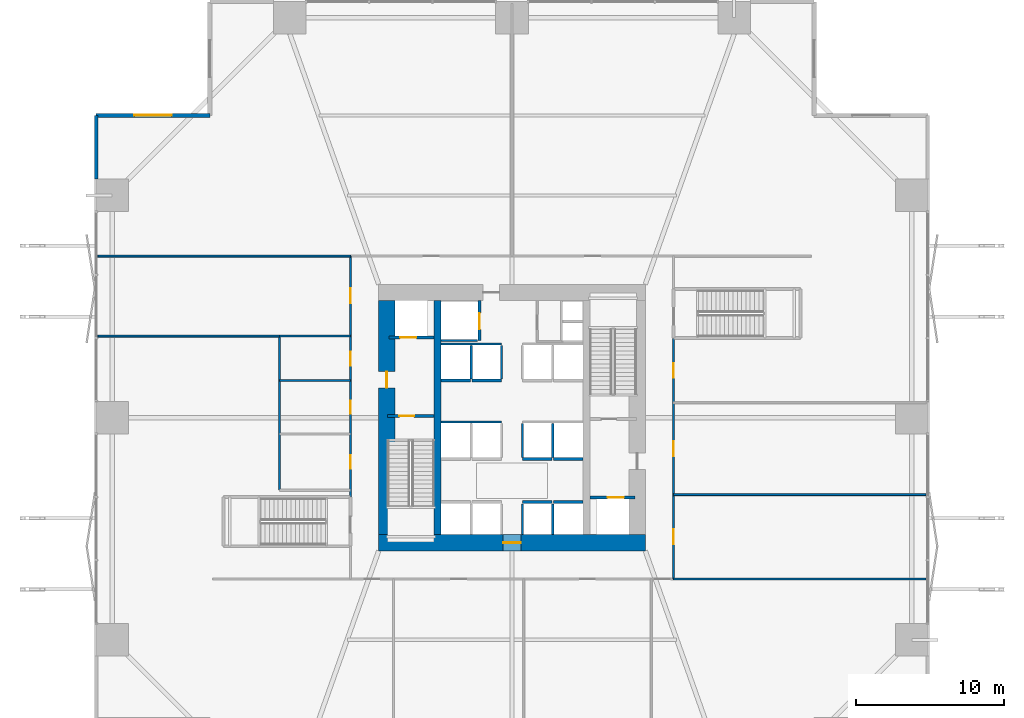
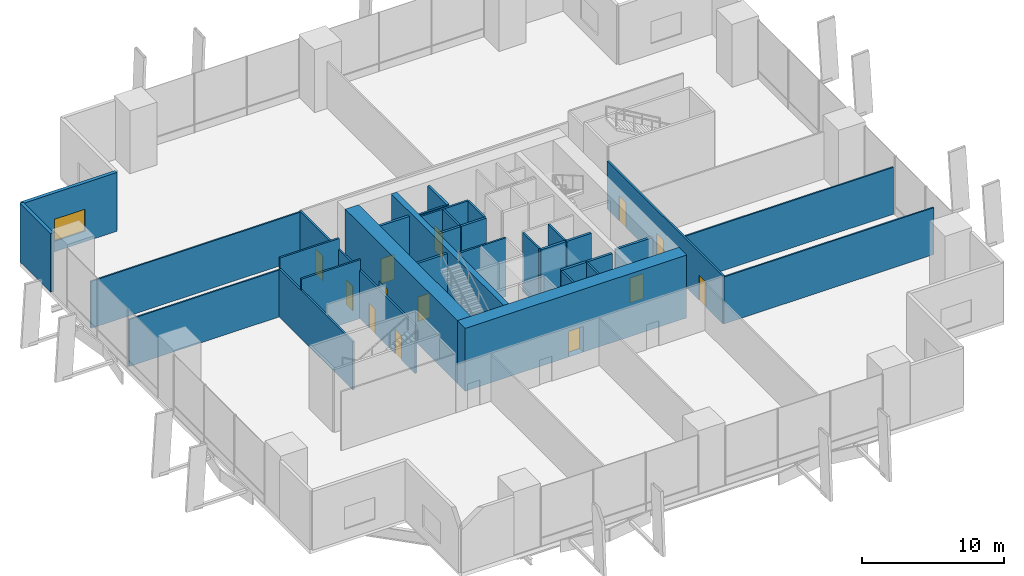
# One storey, part 20 of 24: 33 walls, 13 doors, 1 window, 14 openings.
"""IFC4 building model written with IfcOpenShell, lengths in metres."""

from ifc_helpers import new_model, si_unit, direction, frame, frame_2d, origin, place, context, subcontext, project, spatial, rectangle, extrude, material, layer, layer_set, type_object, element, fill, save


model = new_model("IFC4")

# Units and contexts
model_context = context("Model", 3, precision=1e-05, world=origin(), true_north=direction((0.0, 1.0)))
body_context = subcontext(model_context, "Body", "Model", "MODEL_VIEW")
ifc_project = project(units=[si_unit("LENGTHUNIT", "METRE"), si_unit("AREAUNIT", "SQUARE_METRE"), si_unit("VOLUMEUNIT", "CUBIC_METRE"), si_unit("PLANEANGLEUNIT", "RADIAN"), si_unit("MASSUNIT", "GRAM", prefix="KILO")], contexts=[model_context])

# Site, building, storey
site_placement = place(None, origin())
site = spatial("IfcSite", under=ifc_project, at=site_placement, CompositionType="ELEMENT")
building_placement = place(site_placement, origin())
building = spatial("IfcBuilding", under=site, at=building_placement, Name="Belovzor Exchange Tower", CompositionType="ELEMENT")
storey_placement = place(building_placement, frame((0.0, 0.0, 13.800048828125)))
storey = spatial("IfcBuildingStorey", under=building, at=storey_placement, Name="L03", CompositionType="ELEMENT", Elevation=13.800048828125)

# Walls
ifc_material_1 = material(Name="Acoustic Plasterboard on Galvanised Studs", Category="gypsum")
ifc_layer_1 = layer(ifc_material_1, 0.1201171875)
ifc_layer_set_1 = layer_set([ifc_layer_1], Name="Acoustic Plasterboard on Galvanised Studs")
wall_type_1 = type_object("IfcWallType", Name="Acoustic Double-Stud Partition Wall 120", PredefinedType="PARTITIONING", material=ifc_layer_set_1)
wall_1_placement = place(storey_placement, frame((39.699951171875, 23.60009765625, 0.0), z_axis=(0.0, 0.0, 1.0), x_axis=(1.0, 0.0, 0.0)))
element("IfcWall", 1, at=wall_1_placement, inside=storey, type_object=wall_type_1, Name="W-P120 Partition Wall W-L03-ED1", PredefinedType="PARTITIONING", context=body_context, shape_type="SweptSolid", body=[
    extrude(rectangle(XDim=17.050048828125, YDim=0.1201171875, at=frame_2d((8.52490234375, 0.0))), origin(), (0.0, 0.0, 1.0), 4.034912109375),
])
wall_2_placement = place(storey_placement, frame((0.85009765625, 34.300048828125, 0.0), z_axis=(0.0, 0.0, 1.0), x_axis=(1.0, 0.0, 0.0)))
element("IfcWall", 2, at=wall_2_placement, inside=storey, type_object=wall_type_1, Name="W-P120 Partition Wall W-L03-W1S", PredefinedType="PARTITIONING", context=body_context, shape_type="SweptSolid", body=[
    extrude(rectangle(XDim=12.25, YDim=0.1201171875, at=frame_2d((6.125, 0.0))), origin(), (0.0, 0.0, 1.0), 4.034912109375),
])
wall_3_placement = place(storey_placement, frame((39.699951171875, 17.89990234375, 0.0), z_axis=(0.0, 0.0, 1.0), x_axis=(1.0, 0.0, 0.0)))
element("IfcWall", 3, at=wall_3_placement, inside=storey, type_object=wall_type_1, Name="W-P120 Partition Wall W-L03-OUT-SE", PredefinedType="PARTITIONING", context=body_context, shape_type="SweptSolid", body=[
    extrude(rectangle(XDim=17.050048828125, YDim=0.1201171875, at=frame_2d((8.52490234375, 0.0))), origin(), (0.0, 0.0, 1.0), 4.034912109375),
])
wall_4_placement = place(storey_placement, frame((0.85009765625, 39.699951171875, 0.0), z_axis=(0.0, 0.0, 1.0), x_axis=(1.0, 0.0, 0.0)))
element("IfcWall", 4, at=wall_4_placement, inside=storey, type_object=wall_type_1, Name="W-P120 Partition Wall W-L03-OUT-NW", PredefinedType="PARTITIONING", context=body_context, shape_type="SweptSolid", body=[
    extrude(rectangle(XDim=17.0498046875, YDim=0.1201171875, at=frame_2d((8.52490234375, 0.0))), origin(), (0.0, 0.0, 1.0), 4.034912109375),
])
ifc_material_2 = material(Name="Fire-Rated Gypsum Block and Mineral Wool", Category="gypsum")
ifc_layer_2 = layer(ifc_material_2, 0.14990234375)
ifc_layer_set_2 = layer_set([ifc_layer_2], Name="Fire-Rated Gypsum Block and Mineral Wool")
wall_type_2 = type_object("IfcWallType", Name="Fire-Rated Gypsum Block Corridor Wall 150", PredefinedType="PARTITIONING", material=ifc_layer_set_2)
wall_5_placement = place(storey_placement, frame((13.10009765625, 23.89990234375, 0.0), z_axis=(0.0, 0.0, 1.0), x_axis=(0.0, 1.0, 0.0)))
element("IfcWall", 5, at=wall_5_placement, inside=storey, type_object=wall_type_2, Name="W-P150 Partition Wall W-L03-WC-W", PredefinedType="PARTITIONING", context=body_context, shape_type="SweptSolid", body=[
    extrude(rectangle(XDim=10.400146484375, YDim=0.14990234375, at=frame_2d((5.2001953125, 0.0))), origin(), (0.0, 0.0, 1.0), 4.135009765625),
])
for number, where, z_axis, x_axis, name in (
    (6, (13.10009765625, 34.300048828125, 0.0), (0.0, 0.0, 1.0), (1.0, 0.0, 0.0), "W-P150 Partition Wall W-L03-WC-N"),
    (7, (13.10009765625, 31.300048828125, 0.0), (0.0, 0.0, 1.0), (1.0, 0.0, 0.0), "W-P150 Partition Wall W-L03-WC-D2"),
):
    element("IfcWall", number, at=place(storey_placement, frame(where, z_axis=z_axis, x_axis=x_axis)), inside=storey, type_object=wall_type_2, Name=name, PredefinedType="PARTITIONING", context=body_context, shape_type="SweptSolid", body=[
        extrude(rectangle(XDim=4.7998046875, YDim=0.14990234375, at=frame_2d((2.39990234375, 0.0))), origin(), (0.0, 0.0, 1.0), 5.050048828125),
    ])

# Wall, openings, doors
wall_6_placement = place(storey_placement, frame((17.89990234375, 23.449951171875, 0.0), z_axis=(0.0, 0.0, 1.0), x_axis=(0.0, 1.0, 0.0)))
wall_6 = element("IfcWall", 8, at=wall_6_placement, inside=storey, type_object=wall_type_2, Name="W-P150 Partition Wall W-L03-CWN", PredefinedType="PARTITIONING", context=body_context, shape_type="SweptSolid", body=[
    extrude(rectangle(XDim=16.25, YDim=0.14990234375, at=frame_2d((8.125, 0.0))), origin(), (0.0, 0.0, 1.0), 4.135009765625),
])
opening_1_placement = place(wall_6_placement, frame((1.89990234375, 0.0, 0.0)))
opening_1 = element("IfcOpeningElement", 9, at=opening_1_placement, cuts=wall_6, Name="Opening D-FD60-090", PredefinedType="OPENING", context=body_context, shape_type="SweptSolid", body=[
    extrude(rectangle(XDim=0.89990234375, YDim=2.10009765625, at=frame_2d((0.449951171875, 1.050048828125))), frame((0.0, 0.0849609375, 0.0), z_axis=(0.0, -1.0, 0.0), x_axis=(1.0, 0.0, 0.0)), (0.0, 0.0, 1.0), 0.169921875),
])
opening_2_placement = place(wall_6_placement, frame((5.60009765625, 0.0, 0.0)))
opening_2 = element("IfcOpeningElement", 10, at=opening_2_placement, cuts=wall_6, Name="Opening D-FD60-090", PredefinedType="OPENING", context=body_context, shape_type="SweptSolid", body=[
    extrude(rectangle(XDim=0.89990234375, YDim=2.10009765625, at=frame_2d((0.449951171875, 1.050048828125))), frame((0.0, 0.0849609375, 0.0), z_axis=(0.0, -1.0, 0.0), x_axis=(1.0, 0.0, 0.0)), (0.0, 0.0, 1.0), 0.169921875),
])
opening_3_placement = place(wall_6_placement, frame((8.85009765625, 0.0, 0.0)))
opening_3 = element("IfcOpeningElement", 11, at=opening_3_placement, cuts=wall_6, Name="Opening D-FD60-095", PredefinedType="OPENING", context=body_context, shape_type="SweptSolid", body=[
    extrude(rectangle(XDim=0.949951171875, YDim=2.10009765625, at=frame_2d((0.47509765625, 1.050048828125))), frame((0.0, 0.0849609375, 0.0), z_axis=(0.0, -1.0, 0.0), x_axis=(1.0, 0.0, 0.0)), (0.0, 0.0, 1.0), 0.169921875),
])
opening_4_placement = place(wall_6_placement, frame((13.074951171875, 0.0, 0.0)))
opening_4 = element("IfcOpeningElement", 12, at=opening_4_placement, cuts=wall_6, Name="Opening D-FD60-105", PredefinedType="OPENING", context=body_context, shape_type="SweptSolid", body=[
    extrude(rectangle(XDim=1.0, YDim=2.14990234375, at=frame_2d((0.5, 1.074951171875))), frame((0.0, 0.0849609375, 0.0), z_axis=(0.0, -1.0, 0.0), x_axis=(1.0, 0.0, 0.0)), (0.0, 0.0, 1.0), 0.169921875),
])
ifc_material_3 = material(Name="Moisture-Resistant Timber Fire Leaf", Category="wood")
door_type_1 = type_object("IfcDoorType", Name="Accessible Restroom Wide Fire Door 950x2100", OperationType="NOTDEFINED", PredefinedType="DOOR", material=ifc_material_3)
door_1_placement = place(opening_3_placement, origin())
door_1 = element("IfcDoor", 13, at=door_1_placement, inside=storey, type_object=door_type_1, Name="D-FD60-095 Accessible Restroom Wide Fire Door 950x2100", OperationType="SINGLE_SWING_LEFT", OverallHeight=2.10009765625, OverallWidth=0.949951171875, PredefinedType="DOOR", context=body_context, shape_type="SweptSolid", body=[
    extrude(rectangle(XDim=0.949951171875, YDim=2.10009765625, at=frame_2d((0.47509765625, 1.050048828125))), frame((0.0, 0.02490234375, 0.0), z_axis=(0.0, -1.0, 0.0), x_axis=(1.0, 0.0, 0.0)), (0.0, 0.0, 1.0), 0.050048828125),
])
fill(opening_3, door_1)
ifc_material_4 = material(Name="Acoustic Timber Fire Leaf", Category="wood")
door_type_2 = type_object("IfcDoorType", Name="Core Service & Restroom Fire Door 900x2100", OperationType="NOTDEFINED", PredefinedType="DOOR", material=ifc_material_4)
door_2_placement = place(opening_1_placement, origin())
door_2 = element("IfcDoor", 14, at=door_2_placement, inside=storey, type_object=door_type_2, Name="D-FD60-090 Core Service & Restroom Fire Door 900x2100", OperationType="SINGLE_SWING_LEFT", OverallHeight=2.10009765625, OverallWidth=0.89990234375, PredefinedType="DOOR", context=body_context, shape_type="SweptSolid", body=[
    extrude(rectangle(XDim=0.89990234375, YDim=2.10009765625, at=frame_2d((0.449951171875, 1.050048828125))), frame((0.0, 0.02490234375, 0.0), z_axis=(0.0, -1.0, 0.0), x_axis=(1.0, 0.0, 0.0)), (0.0, 0.0, 1.0), 0.050048828125),
])
fill(opening_1, door_2)
door_3_placement = place(opening_2_placement, origin())
door_3 = element("IfcDoor", 15, at=door_3_placement, inside=storey, type_object=door_type_2, Name="D-FD60-090 Core Service & Restroom Fire Door 900x2100", OperationType="SINGLE_SWING_RIGHT", OverallHeight=2.10009765625, OverallWidth=0.89990234375, PredefinedType="DOOR", context=body_context, shape_type="SweptSolid", body=[
    extrude(rectangle(XDim=0.89990234375, YDim=2.10009765625, at=frame_2d((0.449951171875, 1.050048828125))), frame((0.0, 0.02490234375, 0.0), z_axis=(0.0, -1.0, 0.0), x_axis=(1.0, 0.0, 0.0)), (0.0, 0.0, 1.0), 0.050048828125),
])
fill(opening_2, door_3)
ifc_material_5 = material(Name="Acoustic Timber Fire Leaf", Category="wood")
door_type_3 = type_object("IfcDoorType", Name="Podium Gallery Acoustic Fire Door 1000x2150", OperationType="NOTDEFINED", PredefinedType="DOOR", material=ifc_material_5)
door_4_placement = place(opening_4_placement, origin())
door_4 = element("IfcDoor", 16, at=door_4_placement, inside=storey, type_object=door_type_3, Name="D-FD60-105 Podium Gallery Acoustic Fire Door 1000x2150", OperationType="SINGLE_SWING_RIGHT", OverallHeight=2.14990234375, OverallWidth=1.0, PredefinedType="DOOR", context=body_context, shape_type="SweptSolid", body=[
    extrude(rectangle(XDim=1.0, YDim=2.14990234375, at=frame_2d((0.5, 1.074951171875))), frame((0.0, 0.02490234375, 0.0), z_axis=(0.0, -1.0, 0.0), x_axis=(1.0, 0.0, 0.0)), (0.0, 0.0, 1.0), 0.050048828125),
])
fill(opening_4, door_4)

wall_7_placement = place(storey_placement, frame((39.699951171875, 17.89990234375, 0.0), z_axis=(0.0, 0.0, 1.0), x_axis=(0.0, 1.0, 0.0)))
wall_7 = element("IfcWall", 17, at=wall_7_placement, inside=storey, type_object=wall_type_2, Name="W-P150 Partition Wall W-L03-CES", PredefinedType="PARTITIONING", context=body_context, shape_type="SweptSolid", body=[
    extrude(rectangle(XDim=16.25, YDim=0.14990234375, at=frame_2d((8.125, 0.0))), origin(), (0.0, 0.0, 1.0), 4.135009765625),
])
opening_5_placement = place(wall_7_placement, frame((2.35009765625, 0.0, 0.0)))
opening_5 = element("IfcOpeningElement", 18, at=opening_5_placement, cuts=wall_7, Name="Opening D-FD60-105", PredefinedType="OPENING", context=body_context, shape_type="SweptSolid", body=[
    extrude(rectangle(XDim=1.0, YDim=2.14990234375, at=frame_2d((0.5, 1.074951171875))), frame((0.0, 0.0849609375, 0.0), z_axis=(0.0, -1.0, 0.0), x_axis=(1.0, 0.0, 0.0)), (0.0, 0.0, 1.0), 0.169921875),
])
opening_6_placement = place(wall_7_placement, frame((8.300048828125, 0.0, 0.0)))
opening_6 = element("IfcOpeningElement", 19, at=opening_6_placement, cuts=wall_7, Name="Opening D-FD60-105", PredefinedType="OPENING", context=body_context, shape_type="SweptSolid", body=[
    extrude(rectangle(XDim=1.0, YDim=2.14990234375, at=frame_2d((0.5, 1.074951171875))), frame((0.0, 0.0849609375, 0.0), z_axis=(0.0, -1.0, 0.0), x_axis=(1.0, 0.0, 0.0)), (0.0, 0.0, 1.0), 0.169921875),
])
opening_7_placement = place(wall_7_placement, frame((13.574951171875, 0.0, 0.0)))
opening_7 = element("IfcOpeningElement", 20, at=opening_7_placement, cuts=wall_7, Name="Opening D-FD60-105", PredefinedType="OPENING", context=body_context, shape_type="SweptSolid", body=[
    extrude(rectangle(XDim=1.0, YDim=2.14990234375, at=frame_2d((0.5, 1.074951171875))), frame((0.0, 0.0849609375, 0.0), z_axis=(0.0, -1.0, 0.0), x_axis=(1.0, 0.0, 0.0)), (0.0, 0.0, 1.0), 0.169921875),
])
door_5_placement = place(opening_5_placement, origin())
door_5 = element("IfcDoor", 21, at=door_5_placement, inside=storey, type_object=door_type_3, Name="D-FD60-105 Podium Gallery Acoustic Fire Door 1000x2150", OperationType="SINGLE_SWING_LEFT", OverallHeight=2.14990234375, OverallWidth=1.0, PredefinedType="DOOR", context=body_context, shape_type="SweptSolid", body=[
    extrude(rectangle(XDim=1.0, YDim=2.14990234375, at=frame_2d((0.5, 1.074951171875))), frame((0.0, 0.02490234375, 0.0), z_axis=(0.0, -1.0, 0.0), x_axis=(1.0, 0.0, 0.0)), (0.0, 0.0, 1.0), 0.050048828125),
])
fill(opening_5, door_5)
door_6_placement = place(opening_6_placement, origin())
door_6 = element("IfcDoor", 22, at=door_6_placement, inside=storey, type_object=door_type_3, Name="D-FD60-105 Podium Gallery Acoustic Fire Door 1000x2150", OperationType="SINGLE_SWING_LEFT", OverallHeight=2.14990234375, OverallWidth=1.0, PredefinedType="DOOR", context=body_context, shape_type="SweptSolid", body=[
    extrude(rectangle(XDim=1.0, YDim=2.14990234375, at=frame_2d((0.5, 1.074951171875))), frame((0.0, 0.02490234375, 0.0), z_axis=(0.0, -1.0, 0.0), x_axis=(1.0, 0.0, 0.0)), (0.0, 0.0, 1.0), 0.050048828125),
])
fill(opening_6, door_6)
door_7_placement = place(opening_7_placement, origin())
door_7 = element("IfcDoor", 23, at=door_7_placement, inside=storey, type_object=door_type_3, Name="D-FD60-105 Podium Gallery Acoustic Fire Door 1000x2150", OperationType="SINGLE_SWING_LEFT", OverallHeight=2.14990234375, OverallWidth=1.0, PredefinedType="DOOR", context=body_context, shape_type="SweptSolid", body=[
    extrude(rectangle(XDim=1.0, YDim=2.14990234375, at=frame_2d((0.5, 1.074951171875))), frame((0.0, 0.02490234375, 0.0), z_axis=(0.0, -1.0, 0.0), x_axis=(1.0, 0.0, 0.0)), (0.0, 0.0, 1.0), 0.050048828125),
])
fill(opening_7, door_7)

# Wall, opening, window
ifc_material_6 = material(Name="Precast concrete C40/50", Category="concrete")
ifc_layer_3 = layer(ifc_material_6, 0.280029296875)
ifc_layer_set_3 = layer_set([ifc_layer_3], Name="Precast concrete C40/50")
wall_type_3 = type_object("IfcWallType", Name="Precast Concrete Notched Corner Frame Wall 280", PredefinedType="SOLIDWALL", material=ifc_layer_set_3)
wall_8_placement = place(storey_placement, frame((0.72998046875, 49.199951171875, 0.0), z_axis=(0.0, 0.0, 1.0), x_axis=(1.0, 0.0, 0.0)))
wall_8 = element("IfcWall", 24, at=wall_8_placement, inside=storey, type_object=wall_type_3, Name="W-CRN280 Precast Concrete Notched Corner Frame Wall 280 L03", PredefinedType="SOLIDWALL", context=body_context, shape_type="SweptSolid", body=[
    extrude(rectangle(XDim=7.669921875, YDim=0.280029296875, at=frame_2d((3.8349609375, 0.0))), origin(), (0.0, 0.0, 1.0), 5.050048828125),
])
opening_8_placement = place(wall_8_placement, frame((2.5849609375, 0.0, 0.89990234375)))
opening_8 = element("IfcOpeningElement", 25, at=opening_8_placement, cuts=wall_8, Name="Opening WN-CRN250", PredefinedType="OPENING", context=body_context, shape_type="SweptSolid", body=[
    extrude(rectangle(XDim=2.5, YDim=1.89990234375, at=frame_2d((1.25, 0.949951171875))), frame((0.0, 0.14990234375, 0.0), z_axis=(0.0, -1.0, 0.0), x_axis=(1.0, 0.0, 0.0)), (0.0, 0.0, 1.0), 0.300048828125),
])
ifc_material_7 = material(Name="Thermally Broken Aluminium and Triple Glazing", Category="aluminium")
window_type = type_object("IfcWindowType", Name="Streamline Moderne Corner Wrap Ribbon Window 2500x1900", PartitioningType="SINGLE_PANEL", PredefinedType="WINDOW", material=ifc_material_7)
window_placement = place(opening_8_placement, origin())
window = element("IfcWindow", 26, at=window_placement, inside=storey, type_object=window_type, Name="WN-CRN250 Streamline Moderne Corner Wrap Ribbon Window 2500x1900", OverallHeight=1.89990234375, OverallWidth=2.5, PartitioningType="SINGLE_PANEL", PredefinedType="WINDOW", context=body_context, shape_type="SweptSolid", body=[
    extrude(rectangle(XDim=2.5, YDim=1.89990234375, at=frame_2d((1.25, 0.949951171875))), frame((0.0, 0.030029296875, 0.0), z_axis=(0.0, -1.0, 0.0), x_axis=(1.0, 0.0, 0.0)), (0.0, 0.0, 1.0), 0.06005859375),
])
fill(opening_8, window)

# Walls
ifc_material_8 = material(Name="Precast concrete C40/50", Category="concrete")
ifc_layer_4 = layer(ifc_material_8, 0.260009765625)
ifc_layer_set_4 = layer_set([ifc_layer_4], Name="Precast concrete C40/50")
wall_type_4 = type_object("IfcWallType", Name="Precast Concrete Perimeter Loggia Frame Wall 260", PredefinedType="SOLIDWALL", material=ifc_layer_set_4)
wall_9_placement = place(storey_placement, frame((0.72998046875, 44.89990234375, 0.0), z_axis=(0.0, 0.0, 1.0), x_axis=(0.0, 1.0, 0.0)))
element("IfcWall", 27, at=wall_9_placement, inside=storey, type_object=wall_type_4, Name="W-EXT260 Precast Concrete Perimeter Loggia Frame Wall 260 L03", PredefinedType="SOLIDWALL", context=body_context, shape_type="SweptSolid", body=[
    extrude(rectangle(XDim=4.300048828125, YDim=0.260009765625, at=frame_2d((2.14990234375, 0.0))), origin(), (0.0, 0.0, 1.0), 5.050048828125),
])
ifc_material_9 = material(Name="Concrete C50/60", Category="concrete")
ifc_layer_5 = layer(ifc_material_9, 0.449951171875)
ifc_layer_set_5 = layer_set([ifc_layer_5], Name="Concrete C50/60")
wall_type_5 = type_object("IfcWallType", Name="Reinforced Concrete Core Internal Web Wall 450", PredefinedType="SHEAR", material=ifc_layer_set_5)
wall_10_placement = place(storey_placement, frame((23.77490234375, 20.89990234375, 0.0), z_axis=(0.0, 0.0, 1.0), x_axis=(0.0, 1.0, 0.0)))
element("IfcWall", 28, at=wall_10_placement, inside=storey, type_object=wall_type_5, Name="CW-W045 Core Internal Web Wall L03 WL", PredefinedType="SHEAR", context=body_context, shape_type="SweptSolid", body=[
    extrude(rectangle(XDim=15.800048828125, YDim=0.449951171875, at=frame_2d((7.89990234375, 0.0))), origin(), (0.0, 0.0, 1.0), 5.39990234375),
])
ifc_material_10 = material(Name="Concrete C50/60", Category="concrete")
ifc_layer_6 = layer(ifc_material_10, 0.14990234375)
ifc_layer_set_6 = layer_set([ifc_layer_6], Name="Concrete C50/60")
wall_type_6 = type_object("IfcWallType", Name="Reinforced Concrete Core Riser Shear Wall 150", PredefinedType="SHEAR", material=ifc_layer_set_6)
wall_11_placement = place(storey_placement, frame((24.0, 34.0, 0.0), z_axis=(0.0, 0.0, 1.0), x_axis=(1.0, 0.0, 0.0)))
element("IfcWall", 29, at=wall_11_placement, inside=storey, type_object=wall_type_6, Name="W-C150S Core Shaft Wall W-SH-L03-SL-01S", PredefinedType="SHEAR", context=body_context, shape_type="SweptSolid", body=[
    extrude(rectangle(XDim=2.47998046875, YDim=0.14990234375, at=frame_2d((1.239990234375, 0.0))), origin(), (0.0, 0.0, 1.0), 5.050048828125),
])
for number, where, z_axis, x_axis, name in (
    (30, (29.5, 20.919921875, 0.0), (0.0, 0.0, 1.0), (0.0, 1.0, 0.0), "W-C150S Core Shaft Wall W-SHD-L03-PLL-3"),
    (31, (31.550048828125, 20.919921875, 0.0), (0.0, 0.0, 1.0), (0.0, 1.0, 0.0), "W-C150S Core Shaft Wall W-SHD-L03-PLL-4"),
):
    element("IfcWall", number, at=place(storey_placement, frame(where, z_axis=z_axis, x_axis=x_axis)), inside=storey, type_object=wall_type_6, Name=name, PredefinedType="SHEAR", context=body_context, shape_type="SweptSolid", body=[
        extrude(rectangle(XDim=2.06005859375, YDim=0.14990234375, at=frame_2d((1.030029296875, 0.0))), origin(), (0.0, 0.0, 1.0), 5.050048828125),
    ])
wall_12_placement = place(storey_placement, frame((24.02001953125, 28.5, 0.0), z_axis=(0.0, 0.0, 1.0), x_axis=(1.0, 0.0, 0.0)))
element("IfcWall", 32, at=wall_12_placement, inside=storey, type_object=wall_type_6, Name="W-C150S Core Shaft Wall W-SHB-L03-PLM-NW", PredefinedType="SHEAR", context=body_context, shape_type="SweptSolid", body=[
    extrude(rectangle(XDim=4.080078125, YDim=0.14990234375, at=frame_2d((2.0400390625, 0.0))), origin(), (0.0, 0.0, 1.0), 5.050048828125),
])
for number, where, z_axis, x_axis, name in (
    (33, (29.5, 26.1201171875, 0.0), (0.0, 0.0, 1.0), (0.0, 1.0, 0.0), "W-C150S Core Shaft Wall W-SHD-L03-PLM-3"),
    (34, (31.550048828125, 26.1201171875, 0.0), (0.0, 0.0, 1.0), (0.0, 1.0, 0.0), "W-C150S Core Shaft Wall W-SHD-L03-PLM-4"),
):
    element("IfcWall", number, at=place(storey_placement, frame(where, z_axis=z_axis, x_axis=x_axis)), inside=storey, type_object=wall_type_6, Name=name, PredefinedType="SHEAR", context=body_context, shape_type="SweptSolid", body=[
        extrude(rectangle(XDim=2.27978515625, YDim=0.14990234375, at=frame_2d((1.139892578125, 0.0))), origin(), (0.0, 0.0, 1.0), 5.050048828125),
    ])
wall_13_placement = place(storey_placement, frame((24.02001953125, 33.760009765625, 0.0), z_axis=(0.0, 0.0, 1.0), x_axis=(1.0, 0.0, 0.0)))
element("IfcWall", 35, at=wall_13_placement, inside=storey, type_object=wall_type_6, Name="W-C150S Core Shaft Wall W-SHB-L03-PLH-NW", PredefinedType="SHEAR", context=body_context, shape_type="SweptSolid", body=[
    extrude(rectangle(XDim=4.080078125, YDim=0.14990234375, at=frame_2d((2.0400390625, 0.0))), origin(), (0.0, 0.0, 1.0), 5.050048828125),
])
for number, where, z_axis, x_axis, name in (
    (36, (26.050048828125, 31.419921875, 0.0), (0.0, 0.0, 1.0), (0.0, 1.0, 0.0), "W-C150S Core Shaft Wall W-SHD-L03-PLH-1"),
    (37, (28.10009765625, 31.419921875, 0.0), (0.0, 0.0, 1.0), (0.0, 1.0, 0.0), "W-C150S Core Shaft Wall W-SHD-L03-PLH-2"),
):
    element("IfcWall", number, at=place(storey_placement, frame(where, z_axis=z_axis, x_axis=x_axis)), inside=storey, type_object=wall_type_6, Name=name, PredefinedType="SHEAR", context=body_context, shape_type="SweptSolid", body=[
        extrude(rectangle(XDim=2.239990234375, YDim=0.14990234375, at=frame_2d((1.1201171875, 0.0))), origin(), (0.0, 0.0, 1.0), 5.050048828125),
    ])

# Wall, opening, door
ifc_material_11 = material(Name="Concrete C50/60", Category="concrete")
ifc_layer_7 = layer(ifc_material_11, 0.199951171875)
ifc_layer_set_7 = layer_set([ifc_layer_7], Name="Concrete C50/60")
wall_type_7 = type_object("IfcWallType", Name="Reinforced Concrete Core Shaft Shear Wall 200", PredefinedType="SHEAR", material=ifc_layer_set_7)
wall_14_placement = place(storey_placement, frame((20.39990234375, 28.89990234375, 0.0), z_axis=(0.0, 0.0, 1.0), x_axis=(1.0, 0.0, 0.0)))
wall_14 = element("IfcWall", 38, at=wall_14_placement, inside=storey, type_object=wall_type_7, Name="W-C200S Core Shaft Wall W-CORE-L03-FFLW1", PredefinedType="SHEAR", context=body_context, shape_type="SweptSolid", body=[
    extrude(rectangle(XDim=3.150146484375, YDim=0.199951171875, at=frame_2d((1.5751953125, 0.0))), origin(), (0.0, 0.0, 1.0), 5.050048828125),
])
opening_9_placement = place(wall_14_placement, frame((0.800048828125, 0.0, 0.0)))
opening_9 = element("IfcOpeningElement", 39, at=opening_9_placement, cuts=wall_14, Name="Opening D-FD90-100", PredefinedType="OPENING", context=body_context, shape_type="SweptSolid", body=[
    extrude(rectangle(XDim=1.0, YDim=2.10009765625, at=frame_2d((0.5, 1.050048828125))), frame((0.0, 0.10986328125, 0.0), z_axis=(0.0, -1.0, 0.0), x_axis=(1.0, 0.0, 0.0)), (0.0, 0.0, 1.0), 0.219970703125),
])
ifc_material_12 = material(Name="Fire-Rated Galvanised Steel Leaf", Category="steel")
door_type_4 = type_object("IfcDoorType", Name="Protected Stairwell Single Fire Door 1000x2100", OperationType="NOTDEFINED", PredefinedType="DOOR", material=ifc_material_12)
door_8_placement = place(opening_9_placement, origin())
door_8 = element("IfcDoor", 40, at=door_8_placement, inside=storey, type_object=door_type_4, Name="D-FD90-100 Protected Stairwell Single Fire Door 1000x2100", OperationType="SINGLE_SWING_RIGHT", OverallHeight=2.10009765625, OverallWidth=1.0, PredefinedType="DOOR", context=body_context, shape_type="SweptSolid", body=[
    extrude(rectangle(XDim=1.0, YDim=2.10009765625, at=frame_2d((0.5, 1.050048828125))), frame((0.0, 0.02490234375, 0.0), z_axis=(0.0, -1.0, 0.0), x_axis=(1.0, 0.0, 0.0)), (0.0, 0.0, 1.0), 0.050048828125),
])
fill(opening_9, door_8)

wall_15_placement = place(storey_placement, frame((20.5, 34.199951171875, 0.0), z_axis=(0.0, 0.0, 1.0), x_axis=(1.0, 0.0, 0.0)))
wall_15 = element("IfcWall", 41, at=wall_15_placement, inside=storey, type_object=wall_type_7, Name="W-C200S Core Shaft Wall W-SH-L03-FFL-01", PredefinedType="SHEAR", context=body_context, shape_type="SweptSolid", body=[
    extrude(rectangle(XDim=3.050048828125, YDim=0.199951171875, at=frame_2d((1.52490234375, 0.0))), origin(), (0.0, 0.0, 1.0), 5.050048828125),
])
opening_10_placement = place(wall_15_placement, frame((0.75, 0.0, 0.0)))
opening_10 = element("IfcOpeningElement", 42, at=opening_10_placement, cuts=wall_15, Name="Opening LD-110", PredefinedType="OPENING", context=body_context, shape_type="SweptSolid", body=[
    extrude(rectangle(XDim=1.10009765625, YDim=2.14990234375, at=frame_2d((0.550048828125, 1.074951171875))), frame((0.0, 0.10986328125, 0.0), z_axis=(0.0, -1.0, 0.0), x_axis=(1.0, 0.0, 0.0)), (0.0, 0.0, 1.0), 0.219970703125),
])
ifc_material_13 = material(Name="Stainless Steel Grade 304", Category="steel")
door_type_5 = type_object("IfcDoorType", Name="Automated Stainless Steel Lift Landing Door 1100x2150", OperationType="SLIDING_TO_RIGHT", PredefinedType="DOOR", material=ifc_material_13)
door_9_placement = place(opening_10_placement, origin())
door_9 = element("IfcDoor", 43, at=door_9_placement, inside=storey, type_object=door_type_5, Name="LD-110 Automated Stainless Steel Lift Landing Door 1100x2150", OperationType="SLIDING_TO_RIGHT", OverallHeight=2.14990234375, OverallWidth=1.10009765625, PredefinedType="DOOR", context=body_context, shape_type="SweptSolid", body=[
    extrude(rectangle(XDim=1.10009765625, YDim=2.14990234375, at=frame_2d((0.550048828125, 1.074951171875))), frame((0.0, 0.02490234375, 0.0), z_axis=(0.0, -1.0, 0.0), x_axis=(1.0, 0.0, 0.0)), (0.0, 0.0, 1.0), 0.050048828125),
])
fill(opening_10, door_9)

wall_16_placement = place(storey_placement, frame((34.050048828125, 23.39990234375, 0.0), z_axis=(0.0, 0.0, 1.0), x_axis=(1.0, 0.0, 0.0)))
wall_16 = element("IfcWall", 44, at=wall_16_placement, inside=storey, type_object=wall_type_7, Name="W-C200S Core Shaft Wall W-SH-L03-FFL-02", PredefinedType="SHEAR", context=body_context, shape_type="SweptSolid", body=[
    extrude(rectangle(XDim=3.050048828125, YDim=0.199951171875, at=frame_2d((1.52490234375, 0.0))), origin(), (0.0, 0.0, 1.0), 5.050048828125),
])
opening_11_placement = place(wall_16_placement, frame((1.199951171875, 0.0, 0.0)))
opening_11 = element("IfcOpeningElement", 45, at=opening_11_placement, cuts=wall_16, Name="Opening LD-110", PredefinedType="OPENING", context=body_context, shape_type="SweptSolid", body=[
    extrude(rectangle(XDim=1.10009765625, YDim=2.14990234375, at=frame_2d((0.550048828125, 1.074951171875))), frame((0.0, 0.10986328125, 0.0), z_axis=(0.0, -1.0, 0.0), x_axis=(1.0, 0.0, 0.0)), (0.0, 0.0, 1.0), 0.219970703125),
])
door_10_placement = place(opening_11_placement, origin())
door_10 = element("IfcDoor", 46, at=door_10_placement, inside=storey, type_object=door_type_5, Name="LD-110 Automated Stainless Steel Lift Landing Door 1100x2150", OperationType="SLIDING_TO_RIGHT", OverallHeight=2.14990234375, OverallWidth=1.10009765625, PredefinedType="DOOR", context=body_context, shape_type="SweptSolid", body=[
    extrude(rectangle(XDim=1.10009765625, YDim=2.14990234375, at=frame_2d((0.550048828125, 1.074951171875))), frame((0.0, 0.02490234375, 0.0), z_axis=(0.0, -1.0, 0.0), x_axis=(1.0, 0.0, 0.0)), (0.0, 0.0, 1.0), 0.050048828125),
])
fill(opening_11, door_10)

wall_17_placement = place(storey_placement, frame((26.60009765625, 34.0, 0.0), z_axis=(0.0, 0.0, 1.0), x_axis=(0.0, 1.0, 0.0)))
wall_17 = element("IfcWall", 47, at=wall_17_placement, inside=storey, type_object=wall_type_7, Name="W-C200S Core Shaft Wall W-SH-L03-SL-01", PredefinedType="SHEAR", context=body_context, shape_type="SweptSolid", body=[
    extrude(rectangle(XDim=2.699951171875, YDim=0.199951171875, at=frame_2d((1.35009765625, 0.0))), origin(), (0.0, 0.0, 1.0), 5.050048828125),
])
opening_12_placement = place(wall_17_placement, frame((0.75, 0.0, 0.0)))
opening_12 = element("IfcOpeningElement", 48, at=opening_12_placement, cuts=wall_17, Name="Opening LD-110", PredefinedType="OPENING", context=body_context, shape_type="SweptSolid", body=[
    extrude(rectangle(XDim=1.10009765625, YDim=2.14990234375, at=frame_2d((0.550048828125, 1.074951171875))), frame((0.0, 0.10986328125, 0.0), z_axis=(0.0, -1.0, 0.0), x_axis=(1.0, 0.0, 0.0)), (0.0, 0.0, 1.0), 0.219970703125),
])
door_11_placement = place(opening_12_placement, origin())
door_11 = element("IfcDoor", 49, at=door_11_placement, inside=storey, type_object=door_type_5, Name="LD-110 Automated Stainless Steel Lift Landing Door 1100x2150", OperationType="SLIDING_TO_RIGHT", OverallHeight=2.14990234375, OverallWidth=1.10009765625, PredefinedType="DOOR", context=body_context, shape_type="SweptSolid", body=[
    extrude(rectangle(XDim=1.10009765625, YDim=2.14990234375, at=frame_2d((0.550048828125, 1.074951171875))), frame((0.0, 0.02490234375, 0.0), z_axis=(0.0, -1.0, 0.0), x_axis=(1.0, 0.0, 0.0)), (0.0, 0.0, 1.0), 0.050048828125),
])
fill(opening_12, door_11)

# Walls
for number, where, z_axis, x_axis, name in (
    (50, (29.5, 23.10009765625, 0.0), (0.0, 0.0, 1.0), (1.0, 0.0, 0.0), "W-C200S Core Shaft Wall W-SH-L03-PL-L3"),
    (51, (31.60009765625, 23.10009765625, 0.0), (0.0, 0.0, 1.0), (1.0, 0.0, 0.0), "W-C200S Core Shaft Wall W-SH-L03-PL-L4"),
    (52, (29.5, 26.0, 0.0), (0.0, 0.0, 1.0), (1.0, 0.0, 0.0), "W-C200S Core Shaft Wall W-SH-L03-PL-M3"),
    (53, (31.60009765625, 26.0, 0.0), (0.0, 0.0, 1.0), (1.0, 0.0, 0.0), "W-C200S Core Shaft Wall W-SH-L03-PL-M4"),
    (54, (24.0, 31.300048828125, 0.0), (0.0, 0.0, 1.0), (1.0, 0.0, 0.0), "W-C200S Core Shaft Wall W-SH-L03-PL-H1"),
    (55, (26.10009765625, 31.300048828125, 0.0), (0.0, 0.0, 1.0), (1.0, 0.0, 0.0), "W-C200S Core Shaft Wall W-SH-L03-PL-H2"),
):
    element("IfcWall", number, at=place(storey_placement, frame(where, z_axis=z_axis, x_axis=x_axis)), inside=storey, type_object=wall_type_7, Name=name, PredefinedType="SHEAR", context=body_context, shape_type="SweptSolid", body=[
        extrude(rectangle(XDim=2.0, YDim=0.199951171875, at=frame_2d((1.0, 0.0))), origin(), (0.0, 0.0, 1.0), 5.050048828125),
    ])

# Wall, opening, door
ifc_material_14 = material(Name="Concrete C60/75", Category="concrete")
ifc_layer_8 = layer(ifc_material_14, 1.10009765625)
ifc_layer_set_8 = layer_set([ifc_layer_8], Name="Concrete C60/75")
wall_type_8 = type_object("IfcWallType", Name="Reinforced Concrete Core Shear Wall 1100", PredefinedType="SHEAR", material=ifc_layer_set_8)
wall_18_placement = place(storey_placement, frame((19.800048828125, 20.35009765625, 0.0), z_axis=(0.0, 0.0, 1.0), x_axis=(1.0, 0.0, 0.0)))
wall_18 = element("IfcWall", 56, at=wall_18_placement, inside=storey, type_object=wall_type_8, Name="CW-S110 Core Shear Wall L03 S", PredefinedType="SHEAR", context=body_context, shape_type="SweptSolid", body=[
    extrude(rectangle(XDim=18.0, YDim=1.10009765625, at=frame_2d((9.0, 0.0))), origin(), (0.0, 0.0, 1.0), 5.39990234375),
])
opening_13_placement = place(wall_18_placement, frame((8.39990234375, 0.0, 0.0)))
opening_13 = element("IfcOpeningElement", 57, at=opening_13_placement, cuts=wall_18, Name="Opening D-FD90-120", PredefinedType="OPENING", context=body_context, shape_type="SweptSolid", body=[
    extrude(rectangle(XDim=1.199951171875, YDim=2.199951171875, at=frame_2d((0.60009765625, 1.10009765625))), frame((0.0, 0.56005859375, 0.0), z_axis=(0.0, -1.0, 0.0), x_axis=(1.0, 0.0, 0.0)), (0.0, 0.0, 1.0), 1.1201171875),
])
ifc_material_15 = material(Name="Fire-Rated Galvanised Steel Leaf", Category="steel")
door_type_6 = type_object("IfcDoorType", Name="Heavy Plant & Foyer Fire Door 1200x2200", OperationType="NOTDEFINED", PredefinedType="DOOR", material=ifc_material_15)
door_12_placement = place(opening_13_placement, origin())
door_12 = element("IfcDoor", 58, at=door_12_placement, inside=storey, type_object=door_type_6, Name="D-FD90-120 Heavy Plant & Foyer Fire Door 1200x2200", OperationType="SINGLE_SWING_LEFT", OverallHeight=2.199951171875, OverallWidth=1.199951171875, PredefinedType="DOOR", context=body_context, shape_type="SweptSolid", body=[
    extrude(rectangle(XDim=1.199951171875, YDim=2.199951171875, at=frame_2d((0.60009765625, 1.10009765625))), frame((0.0, 0.02490234375, 0.0), z_axis=(0.0, -1.0, 0.0), x_axis=(1.0, 0.0, 0.0)), (0.0, 0.0, 1.0), 0.050048828125),
])
fill(opening_13, door_12)

wall_19_placement = place(storey_placement, frame((20.35009765625, 20.89990234375, 0.0), z_axis=(0.0, 0.0, 1.0), x_axis=(0.0, 1.0, 0.0)))
wall_19 = element("IfcWall", 59, at=wall_19_placement, inside=storey, type_object=wall_type_8, Name="CW-S110 Core Shear Wall L03 W", PredefinedType="SHEAR", context=body_context, shape_type="SweptSolid", body=[
    extrude(rectangle(XDim=15.800048828125, YDim=1.10009765625, at=frame_2d((7.89990234375, 0.0))), origin(), (0.0, 0.0, 1.0), 5.39990234375),
])
opening_14_placement = place(wall_19_placement, frame((9.89990234375, 0.0, 0.0)))
opening_14 = element("IfcOpeningElement", 60, at=opening_14_placement, cuts=wall_19, Name="Opening D-FD90-110", PredefinedType="OPENING", context=body_context, shape_type="SweptSolid", body=[
    extrude(rectangle(XDim=1.10009765625, YDim=2.14990234375, at=frame_2d((0.550048828125, 1.074951171875))), frame((0.0, 0.56005859375, 0.0), z_axis=(0.0, -1.0, 0.0), x_axis=(1.0, 0.0, 0.0)), (0.0, 0.0, 1.0), 1.1201171875),
])
ifc_material_16 = material(Name="Fire-Rated Galvanised Steel Leaf", Category="steel")
door_type_7 = type_object("IfcDoorType", Name="Protected Escape Vestibule Fire Door 1100x2150", OperationType="NOTDEFINED", PredefinedType="DOOR", material=ifc_material_16)
door_13_placement = place(opening_14_placement, origin())
door_13 = element("IfcDoor", 61, at=door_13_placement, inside=storey, type_object=door_type_7, Name="D-FD90-110 Protected Escape Vestibule Fire Door 1100x2150", OperationType="SINGLE_SWING_LEFT", OverallHeight=2.14990234375, OverallWidth=1.10009765625, PredefinedType="DOOR", context=body_context, shape_type="SweptSolid", body=[
    extrude(rectangle(XDim=1.10009765625, YDim=2.14990234375, at=frame_2d((0.550048828125, 1.074951171875))), frame((0.0, 0.02490234375, 0.0), z_axis=(0.0, -1.0, 0.0), x_axis=(1.0, 0.0, 0.0)), (0.0, 0.0, 1.0), 0.050048828125),
])
fill(opening_14, door_13)

save(model, "model.ifc")
